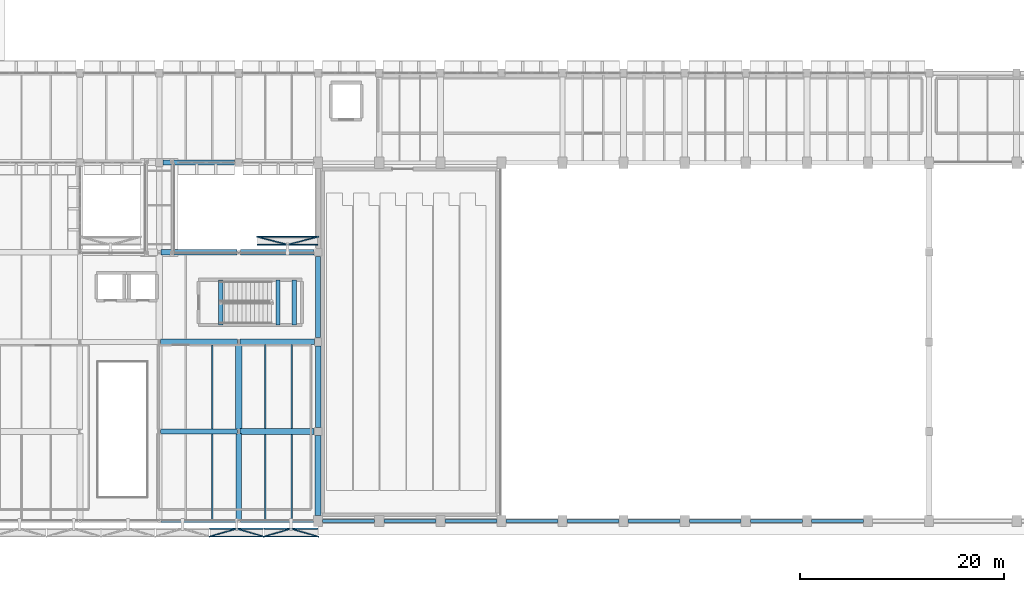
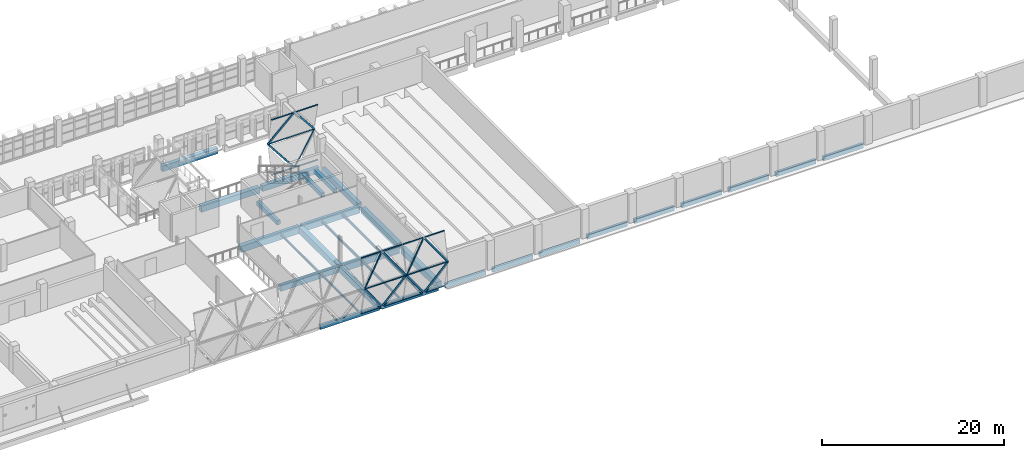
# One storey, part 29 of 80: 32 beams, 21 members, 3 elements without a shape of their own.
"""IFC4 building model written with IfcOpenShell, lengths in metres."""

from ifc_helpers import new_model, si_unit, direction, frame, origin, origin_2d, place, context, subcontext, project, spatial, rectangle, hollow_rectangle, i_section, extrude, material, material_profile, profile_set, type_object, element, aggregate, save


model = new_model("IFC4")

# Units and contexts
model_context = context("Model", 3, precision=1e-05, world=origin(), true_north=direction((0.0, 1.0)))
body_context = subcontext(model_context, "Body", "Model", "MODEL_VIEW")
ifc_project = project(units=[si_unit("LENGTHUNIT", "METRE"), si_unit("AREAUNIT", "SQUARE_METRE"), si_unit("VOLUMEUNIT", "CUBIC_METRE"), si_unit("PLANEANGLEUNIT", "RADIAN"), si_unit("MASSUNIT", "GRAM", prefix="KILO")], contexts=[model_context])

# Site, building, storey
site_placement = place(None, origin())
site = spatial("IfcSite", under=ifc_project, at=site_placement, CompositionType="ELEMENT")
building_placement = place(site_placement, origin())
building = spatial("IfcBuilding", under=site, at=building_placement, Name="Varnakota Cinema and Media Centre", CompositionType="ELEMENT")
storey_placement = place(building_placement, frame((0.0, 0.0, 4.5)))
storey = spatial("IfcBuildingStorey", under=building, at=storey_placement, Name="L01", CompositionType="ELEMENT", Elevation=4.5)

# Beams
ifc_material_1 = material(Name="Concrete M35", Category="concrete")
ifc_material_profile_1 = material_profile(ifc_material_1, rectangle(XDim=0.39990234375, YDim=0.550048828125, at=origin_2d()), Name="RCB 400x550")
ifc_profile_set_1 = profile_set([ifc_material_profile_1], Name="Concrete M35")
beam_type_1 = type_object("IfcBeamType", Name="BM-RC-400x550", PredefinedType="BEAM", material=ifc_profile_set_1)
for number, where, z_axis, x_axis, name in (
    (1, (71.064697265625, 19.25, 1.47509765625), (0.0, 1.0, 0.0), (-1.0, 0.0, 0.0), "L01 ST-04 landing support beam 1"),
    (2, (72.6552734375, 19.25, 1.47509765625), (0.0, 1.0, 0.0), (-1.0, 0.0, 0.0), "L01 ST-04 landing support beam 2"),
):
    element("IfcBeam", number, at=place(storey_placement, frame(where, z_axis=z_axis, x_axis=x_axis)), inside=storey, type_object=beam_type_1, Name=name, PredefinedType="BEAM", context=body_context, shape_type="SweptSolid", body=[
        extrude(rectangle(XDim=0.39990234375, YDim=0.550048828125, at=origin_2d()), origin(), (0.0, 0.0, 1.0), 4.449951171875),
    ])
ifc_material_2 = material(Name="Concrete M40", Category="concrete")
ifc_material_profile_2 = material_profile(ifc_material_2, rectangle(XDim=0.449951171875, YDim=0.550048828125, at=origin_2d()), Name="RCB 450x550")
ifc_profile_set_2 = profile_set([ifc_material_profile_2], Name="Concrete M40")
beam_type_2 = type_object("IfcBeamType", Name="BM-RC-450x550", PredefinedType="BEAM", material=ifc_profile_set_2)
beam_1_placement = place(storey_placement, frame((65.419921875, 19.25, -0.27490234375), z_axis=(0.0, 1.0, 0.0), x_axis=(-1.0, 0.0, 0.0)))
element("IfcBeam", 3, at=beam_1_placement, inside=storey, type_object=beam_type_2, Name="L01 ST-04 stair arrival trimmer beam", PredefinedType="BEAM", context=body_context, shape_type="SweptSolid", body=[
    extrude(rectangle(XDim=0.449951171875, YDim=0.550048828125, at=origin_2d()), origin(), (0.0, 0.0, 1.0), 4.449951171875),
])
ifc_material_3 = material(Name="Concrete M35", Category="concrete")
ifc_material_profile_3 = material_profile(ifc_material_3, rectangle(XDim=0.5, YDim=0.75, at=origin_2d()), Name="RCB 500x750")
ifc_profile_set_3 = profile_set([ifc_material_profile_3], Name="Concrete M35")
beam_type_3 = type_object("IfcBeamType", Name="BM-RC-500x750", PredefinedType="BEAM", material=ifc_profile_set_3)
beam_2_placement = place(storey_placement, frame((59.52490234375, 8.800048828125, -0.625), z_axis=(1.0, 0.0, 0.0), x_axis=(0.0, 1.0, 0.0)))
element("IfcBeam", 4, at=beam_2_placement, inside=storey, type_object=beam_type_3, Name="L01 girder H-J/2", PredefinedType="BEAM", context=body_context, shape_type="SweptSolid", body=[
    extrude(rectangle(XDim=0.5, YDim=0.75, at=origin_2d()), origin(), (0.0, 0.0, 1.0), 7.550048828125),
])
beam_3_placement = place(storey_placement, frame((67.362060546875, 26.39990234375, -0.625), z_axis=(1.0, 0.0, 0.0), x_axis=(0.0, 1.0, 0.0)))
element("IfcBeam", 5, at=beam_3_placement, inside=storey, type_object=beam_type_3, Name="L01 girder J-K/4", PredefinedType="BEAM", context=body_context, shape_type="SweptSolid", body=[
    extrude(rectangle(XDim=0.5, YDim=0.75, at=origin_2d()), origin(), (0.0, 0.0, 1.0), 7.238037109375),
])
beam_4_placement = place(storey_placement, frame((59.77490234375, 35.199951171875, -0.625), z_axis=(1.0, 0.0, 0.0), x_axis=(0.0, 1.0, 0.0)))
element("IfcBeam", 6, at=beam_4_placement, inside=storey, type_object=beam_type_3, Name="L01 girder H-J/5", PredefinedType="BEAM", context=body_context, shape_type="SweptSolid", body=[
    extrude(rectangle(XDim=0.5, YDim=0.75, at=origin_2d()), origin(), (0.0, 0.0, 1.0), 7.025146484375),
])
beam_5_placement = place(storey_placement, frame((67.199951171875, 0.162109375, -0.625), z_axis=(0.0, 1.0, 0.0), x_axis=(-1.0, 0.0, 0.0)))
element("IfcBeam", 7, at=beam_5_placement, inside=storey, type_object=beam_type_3, Name="L01 girder J/1-2", PredefinedType="BEAM", context=body_context, shape_type="SweptSolid", body=[
    extrude(rectangle(XDim=0.5, YDim=0.75, at=origin_2d()), origin(), (0.0, 0.0, 1.0), 8.43798828125),
])
beam_6_placement = place(storey_placement, frame((75.0, 18.02490234375, -0.625), z_axis=(0.0, 1.0, 0.0), x_axis=(-1.0, 0.0, 0.0)))
element("IfcBeam", 8, at=beam_6_placement, inside=storey, type_object=beam_type_3, Name="L01 girder K/3-4", PredefinedType="BEAM", context=body_context, shape_type="SweptSolid", body=[
    extrude(rectangle(XDim=0.5, YDim=0.75, at=origin_2d()), origin(), (0.0, 0.0, 1.0), 7.97509765625),
])
ifc_material_4 = material(Name="Concrete M35", Category="concrete")
ifc_material_profile_4 = material_profile(ifc_material_4, rectangle(XDim=0.550048828125, YDim=0.800048828125, at=origin_2d()), Name="RCB 550x800")
ifc_profile_set_4 = profile_set([ifc_material_profile_4], Name="Concrete M35")
beam_type_4 = type_object("IfcBeamType", Name="BM-RC-550x800", PredefinedType="BEAM", material=ifc_profile_set_4)
beam_7_placement = place(storey_placement, frame((67.324951171875, 17.60009765625, -0.64990234375), z_axis=(1.0, 0.0, 0.0), x_axis=(0.0, 1.0, 0.0)))
element("IfcBeam", 9, at=beam_7_placement, inside=storey, type_object=beam_type_4, Name="L01 girder J-K/3", PredefinedType="BEAM", context=body_context, shape_type="SweptSolid", body=[
    extrude(rectangle(XDim=0.550048828125, YDim=0.800048828125, at=origin_2d()), origin(), (0.0, 0.0, 1.0), 7.300048828125),
])
beam_8_placement = place(storey_placement, frame((59.56201171875, 26.39990234375, -0.64990234375), z_axis=(1.0, 0.0, 0.0), x_axis=(0.0, 1.0, 0.0)))
element("IfcBeam", 10, at=beam_8_placement, inside=storey, type_object=beam_type_4, Name="L01 girder H-J/4", PredefinedType="BEAM", context=body_context, shape_type="SweptSolid", body=[
    extrude(rectangle(XDim=0.550048828125, YDim=0.800048828125, at=origin_2d()), origin(), (0.0, 0.0, 1.0), 7.47607421875),
])
beam_9_placement = place(storey_placement, frame((75.0, 9.199951171875, -0.64990234375), z_axis=(0.0, 1.0, 0.0), x_axis=(-1.0, 0.0, 0.0)))
element("IfcBeam", 11, at=beam_9_placement, inside=storey, type_object=beam_type_4, Name="L01 girder K/2-3", PredefinedType="BEAM", context=body_context, shape_type="SweptSolid", body=[
    extrude(rectangle(XDim=0.550048828125, YDim=0.800048828125, at=origin_2d()), origin(), (0.0, 0.0, 1.0), 7.97509765625),
])
ifc_material_5 = material(Name="Concrete M35", Category="concrete")
ifc_material_profile_5 = material_profile(ifc_material_5, rectangle(XDim=0.60009765625, YDim=0.85009765625, at=origin_2d()), Name="RCB 600x850")
ifc_profile_set_5 = profile_set([ifc_material_profile_5], Name="Concrete M35")
beam_type_5 = type_object("IfcBeamType", Name="BM-RC-600x850", PredefinedType="BEAM", material=ifc_profile_set_5)
beam_10_placement = place(storey_placement, frame((67.324951171875, 8.800048828125, -0.675048828125), z_axis=(1.0, 0.0, 0.0), x_axis=(0.0, 1.0, 0.0)))
element("IfcBeam", 12, at=beam_10_placement, inside=storey, type_object=beam_type_5, Name="L01 girder J-K/2", PredefinedType="BEAM", context=body_context, shape_type="SweptSolid", body=[
    extrude(rectangle(XDim=0.60009765625, YDim=0.85009765625, at=origin_2d()), origin(), (0.0, 0.0, 1.0), 7.275146484375),
])
beam_11_placement = place(storey_placement, frame((59.52490234375, 17.60009765625, -0.675048828125), z_axis=(1.0, 0.0, 0.0), x_axis=(0.0, 1.0, 0.0)))
element("IfcBeam", 13, at=beam_11_placement, inside=storey, type_object=beam_type_5, Name="L01 girder H-J/3", PredefinedType="BEAM", context=body_context, shape_type="SweptSolid", body=[
    extrude(rectangle(XDim=0.60009765625, YDim=0.85009765625, at=origin_2d()), origin(), (0.0, 0.0, 1.0), 7.550048828125),
])
beam_12_placement = place(storey_placement, frame((67.199951171875, 9.0, -0.675048828125), z_axis=(0.0, 1.0, 0.0), x_axis=(-1.0, 0.0, 0.0)))
element("IfcBeam", 14, at=beam_12_placement, inside=storey, type_object=beam_type_5, Name="L01 girder J/2-3", PredefinedType="BEAM", context=body_context, shape_type="SweptSolid", body=[
    extrude(rectangle(XDim=0.60009765625, YDim=0.85009765625, at=origin_2d()), origin(), (0.0, 0.0, 1.0), 8.39990234375),
])
beam_13_placement = place(storey_placement, frame((75.0, 0.550048828125, -0.675048828125), z_axis=(0.0, 1.0, 0.0), x_axis=(-1.0, 0.0, 0.0)))
element("IfcBeam", 15, at=beam_13_placement, inside=storey, type_object=beam_type_5, Name="L01 girder K/1-2", PredefinedType="BEAM", context=body_context, shape_type="SweptSolid", body=[
    extrude(rectangle(XDim=0.60009765625, YDim=0.85009765625, at=origin_2d()), origin(), (0.0, 0.0, 1.0), 7.849853515625),
])
ifc_material_6 = material(Name="Concrete M35", Category="concrete")
ifc_material_profile_6 = material_profile(ifc_material_6, rectangle(XDim=0.300048828125, YDim=0.60009765625, at=origin_2d()), Name="RCB 300x600")
ifc_profile_set_6 = profile_set([ifc_material_profile_6], Name="Concrete M35")
beam_type_6 = type_object("IfcBeamType", Name="BM-SP-300x600", PredefinedType="SPANDREL", material=ifc_profile_set_6)
beam_14_placement = place(storey_placement, frame((59.56201171875, 0.0, -0.550048828125), z_axis=(1.0, 0.0, 0.0), x_axis=(0.0, 1.0, 0.0)))
element("IfcBeam", 16, at=beam_14_placement, inside=storey, type_object=beam_type_6, Name="L01 girder H-J/1", PredefinedType="SPANDREL", context=body_context, shape_type="SweptSolid", body=[
    extrude(rectangle(XDim=0.300048828125, YDim=0.60009765625, at=origin_2d()), origin(), (0.0, 0.0, 1.0), 7.47607421875),
])
beam_15_placement = place(storey_placement, frame((67.362060546875, 0.0, -0.550048828125), z_axis=(1.0, 0.0, 0.0), x_axis=(0.0, 1.0, 0.0)))
element("IfcBeam", 17, at=beam_15_placement, inside=storey, type_object=beam_type_6, Name="L01 girder J-K/1", PredefinedType="SPANDREL", context=body_context, shape_type="SweptSolid", body=[
    extrude(rectangle(XDim=0.300048828125, YDim=0.60009765625, at=origin_2d()), origin(), (0.0, 0.0, 1.0), 7.18798828125),
])
for number, where, z_axis, x_axis, name in (
    (18, (75.449951171875, 0.0, -0.550048828125), (1.0, 0.0, 0.0), (0.0, 1.0, 0.0), "L01 girder K-L/1"),
    (19, (81.449951171875, 0.0, -0.550048828125), (1.0, 0.0, 0.0), (0.0, 1.0, 0.0), "L01 girder L-M/1"),
    (20, (87.449951171875, 0.0, -0.550048828125), (1.0, 0.0, 0.0), (0.0, 1.0, 0.0), "L01 girder M-N/1"),
    (21, (93.449951171875, 0.0, -0.300048828125), (1.0, 0.0, 0.0), (0.0, 1.0, 0.0), "L01 girder N-P/1"),
    (22, (99.449951171875, 0.0, -0.300048828125), (1.0, 0.0, 0.0), (0.0, 1.0, 0.0), "L01 girder P-Q/1"),
    (23, (105.449951171875, 0.0, -0.300048828125), (1.0, 0.0, 0.0), (0.0, 1.0, 0.0), "L01 girder Q-R/1"),
    (24, (111.449951171875, 0.0, -0.300048828125), (1.0, 0.0, 0.0), (0.0, 1.0, 0.0), "L01 girder R-S/1"),
    (25, (117.449951171875, 0.0, -0.300048828125), (1.0, 0.0, 0.0), (0.0, 1.0, 0.0), "L01 girder S-T/1"),
    (26, (123.449951171875, 0.0, -0.300048828125), (1.0, 0.0, 0.0), (0.0, 1.0, 0.0), "L01 girder T-U/1"),
):
    element("IfcBeam", number, at=place(storey_placement, frame(where, z_axis=z_axis, x_axis=x_axis)), inside=storey, type_object=beam_type_6, Name=name, PredefinedType="SPANDREL", context=body_context, shape_type="SweptSolid", body=[
        extrude(rectangle(XDim=0.300048828125, YDim=0.60009765625, at=origin_2d()), origin(), (0.0, 0.0, 1.0), 5.10009765625),
    ])
ifc_material_7 = material(Name="Structural steel Grade 350 (E350)", Category="steel")
ifc_material_profile_7 = material_profile(ifc_material_7, i_section(OverallWidth=0.125, OverallDepth=0.25, WebThickness=0.0068359375, FlangeThickness=0.012451171875, FilletRadius=0.012939453125, at=origin_2d()), Name="ISMB 250")
ifc_profile_set_7 = profile_set([ifc_material_profile_7], Name="Structural steel Grade 350 (E350)")
beam_type_7 = type_object("IfcBeamType", Name="BM-ST-ISMB250", PredefinedType="JOIST", material=ifc_profile_set_7)
beam_16_placement = place(storey_placement, frame((64.60009765625, 0.14990234375, -0.375), z_axis=(0.0, 1.0, 0.0), x_axis=(-1.0, 0.0, 0.0)))
element("IfcBeam", 27, at=beam_16_placement, inside=storey, type_object=beam_type_7, Name="L01 steel joist H-J/1-2 #2", PredefinedType="JOIST", context=body_context, shape_type="SweptSolid", body=[
    extrude(i_section(OverallWidth=0.125, OverallDepth=0.25, WebThickness=0.0068359375, FlangeThickness=0.012451171875, FilletRadius=0.012939453125, at=origin_2d()), origin(), (0.0, 0.0, 1.0), 8.400146484375),
])
ifc_material_8 = material(Name="Structural steel Grade 350 (E350)", Category="steel")
ifc_material_profile_8 = material_profile(ifc_material_8, i_section(OverallWidth=0.139892578125, OverallDepth=0.300048828125, WebThickness=0.0078125, FlangeThickness=0.01318359375, FilletRadius=0.013916015625, at=origin_2d()), Name="ISMB 300")
ifc_profile_set_8 = profile_set([ifc_material_profile_8], Name="Structural steel Grade 350 (E350)")
beam_type_8 = type_object("IfcBeamType", Name="BM-ST-ISMB300", PredefinedType="JOIST", material=ifc_profile_set_8)
beam_17_placement = place(storey_placement, frame((64.60009765625, 9.050048828125, -0.39990234375), z_axis=(0.0, 1.0, 0.0), x_axis=(-1.0, 0.0, 0.0)))
element("IfcBeam", 28, at=beam_17_placement, inside=storey, type_object=beam_type_8, Name="L01 steel joist H-J/2-3 #2", PredefinedType="JOIST", context=body_context, shape_type="SweptSolid", body=[
    extrude(i_section(OverallWidth=0.139892578125, OverallDepth=0.300048828125, WebThickness=0.0078125, FlangeThickness=0.01318359375, FilletRadius=0.013916015625, at=origin_2d()), origin(), (0.0, 0.0, 1.0), 8.25),
])
for number, where, z_axis, x_axis, name in (
    (29, (69.800048828125, 0.14990234375, -0.39990234375), (0.0, 1.0, 0.0), (-1.0, 0.0, 0.0), "L01 steel joist J-K/1-2 #1"),
    (30, (72.39990234375, 0.14990234375, -0.39990234375), (0.0, 1.0, 0.0), (-1.0, 0.0, 0.0), "L01 steel joist J-K/1-2 #2"),
):
    element("IfcBeam", number, at=place(storey_placement, frame(where, z_axis=z_axis, x_axis=x_axis)), inside=storey, type_object=beam_type_8, Name=name, PredefinedType="JOIST", context=body_context, shape_type="SweptSolid", body=[
        extrude(i_section(OverallWidth=0.139892578125, OverallDepth=0.300048828125, WebThickness=0.0078125, FlangeThickness=0.01318359375, FilletRadius=0.013916015625, at=origin_2d()), origin(), (0.0, 0.0, 1.0), 8.35009765625),
    ])
ifc_material_9 = material(Name="Structural steel Grade 350 (E350)", Category="steel")
ifc_material_profile_9 = material_profile(ifc_material_9, i_section(OverallWidth=0.139892578125, OverallDepth=0.35009765625, WebThickness=0.008056640625, FlangeThickness=0.01416015625, FilletRadius=0.013916015625, at=origin_2d()), Name="ISMB 350")
ifc_profile_set_9 = profile_set([ifc_material_profile_9], Name="Structural steel Grade 350 (E350)")
beam_type_9 = type_object("IfcBeamType", Name="BM-ST-ISMB350", PredefinedType="JOIST", material=ifc_profile_set_9)
for number, where, z_axis, x_axis, name in (
    (31, (69.800048828125, 9.10009765625, -0.425048828125), (0.0, 1.0, 0.0), (-1.0, 0.0, 0.0), "L01 steel joist J-K/2-3 #1"),
    (32, (72.39990234375, 9.10009765625, -0.425048828125), (0.0, 1.0, 0.0), (-1.0, 0.0, 0.0), "L01 steel joist J-K/2-3 #2"),
):
    element("IfcBeam", number, at=place(storey_placement, frame(where, z_axis=z_axis, x_axis=x_axis)), inside=storey, type_object=beam_type_9, Name=name, PredefinedType="JOIST", context=body_context, shape_type="SweptSolid", body=[
        extrude(i_section(OverallWidth=0.139892578125, OverallDepth=0.35009765625, WebThickness=0.008056640625, FlangeThickness=0.01416015625, FilletRadius=0.013916015625, at=origin_2d()), origin(), (0.0, 0.0, 1.0), 8.224853515625),
    ])

# Curtain wall, members
ifc_material_10 = material(Name="Anodised golden-bronze aluminium AW-6063", Category="aluminium")
curtain_wall_type_1 = type_object("IfcCurtainWallType", Name="CW-DMD-533x750", PredefinedType="USERDEFINED", material=ifc_material_10)
curtain_wall_1_placement = place(storey_placement, origin())
curtain_wall_1 = element("IfcCurtainWall", 33, at=curtain_wall_1_placement, inside=storey, type_object=curtain_wall_type_1, Name="L01 folded diamond foyer curtain wall CW-V6DMD-S-T1-D01", ObjectType="DIAMOND FOLDED CURTAIN WALL", PredefinedType="USERDEFINED")
ifc_material_11 = material(Name="Anodised golden-bronze aluminium AW-6063", Category="aluminium")
ifc_material_profile_10 = material_profile(ifc_material_11, hollow_rectangle(XDim=0.074951171875, YDim=0.219970703125, WallThickness=0.0048828125, InnerFilletRadius=0.0048828125, OuterFilletRadius=0.010009765625, at=origin_2d()), Name="AL-MULLION 220x75x5")
ifc_profile_set_10 = profile_set([ifc_material_profile_10], Name="Anodised golden-bronze aluminium AW-6063")
member_type_1 = type_object("IfcMemberType", Name="CWM-GOLD-220", PredefinedType="MULLION", material=ifc_profile_set_10)
member_1_placement = place(storey_placement, frame((72.333251953125, -0.75, 0.050048828125), z_axis=(0.570871075166, -0.165812074532, 0.804122236652), x_axis=(0.27892703164, 0.960312298693, 0.0)))
member_1 = element("IfcMember", 34, at=member_1_placement, type_object=member_type_1, Name="CW-V6DMD-S-T1-D01 folded diamond mullion 1", PredefinedType="MULLION", context=body_context, shape_type="SweptSolid", body=[
    extrude(hollow_rectangle(XDim=0.074951171875, YDim=0.219970703125, WallThickness=0.0048828125, InnerFilletRadius=0.0048828125, OuterFilletRadius=0.010009765625, at=origin_2d()), origin(), (0.0, 0.0, 1.0), 4.601318359375),
])
member_2_placement = place(storey_placement, frame((72.333251953125, -0.75, 0.050048828125), z_axis=(-0.570835305557, -0.165817097031, 0.804146593764), x_axis=(0.278950941627, -0.960305353607, 0.0)))
member_2 = element("IfcMember", 35, at=member_2_placement, type_object=member_type_1, Name="CW-V6DMD-S-T1-D01 folded diamond mullion 2", PredefinedType="MULLION", context=body_context, shape_type="SweptSolid", body=[
    extrude(hollow_rectangle(XDim=0.074951171875, YDim=0.219970703125, WallThickness=0.0048828125, InnerFilletRadius=0.0048828125, OuterFilletRadius=0.010009765625, at=origin_2d()), origin(), (0.0, 0.0, 1.0), 4.60107421875),
])
member_3_placement = place(storey_placement, frame((74.9599609375, -1.512939453125, 3.75), z_axis=(-0.570871075166, 0.165812074532, 0.804122236652), x_axis=(-0.27892703164, -0.960312298693, 0.0)))
member_3 = element("IfcMember", 36, at=member_3_placement, type_object=member_type_1, Name="CW-V6DMD-S-T1-D01 folded diamond mullion 3", PredefinedType="MULLION", context=body_context, shape_type="SweptSolid", body=[
    extrude(hollow_rectangle(XDim=0.074951171875, YDim=0.219970703125, WallThickness=0.0048828125, InnerFilletRadius=0.0048828125, OuterFilletRadius=0.010009765625, at=origin_2d()), origin(), (0.0, 0.0, 1.0), 4.601318359375),
])
member_4_placement = place(storey_placement, frame((69.706787109375, -1.512939453125, 3.75), z_axis=(0.570835305557, 0.165817097031, 0.804146593764), x_axis=(-0.278950941627, 0.960305353607, 0.0)))
member_4 = element("IfcMember", 37, at=member_4_placement, type_object=member_type_1, Name="CW-V6DMD-S-T1-D01 folded diamond mullion 4", PredefinedType="MULLION", context=body_context, shape_type="SweptSolid", body=[
    extrude(hollow_rectangle(XDim=0.074951171875, YDim=0.219970703125, WallThickness=0.0048828125, InnerFilletRadius=0.0048828125, OuterFilletRadius=0.010009765625, at=origin_2d()), origin(), (0.0, 0.0, 1.0), 4.60107421875),
])

curtain_wall_2_placement = place(storey_placement, origin())
curtain_wall_2 = element("IfcCurtainWall", 38, at=curtain_wall_2_placement, inside=storey, type_object=curtain_wall_type_1, Name="L01 folded diamond foyer curtain wall CW-V6DMD-S-T1-D02", ObjectType="DIAMOND FOLDED CURTAIN WALL", PredefinedType="USERDEFINED")
member_5_placement = place(storey_placement, frame((67.0, -0.75, 0.050048828125), z_axis=(0.570871075166, -0.165812074532, 0.804122236652), x_axis=(0.27892703164, 0.960312298693, 0.0)))
member_5 = element("IfcMember", 39, at=member_5_placement, type_object=member_type_1, Name="CW-V6DMD-S-T1-D02 folded diamond mullion 1", PredefinedType="MULLION", context=body_context, shape_type="SweptSolid", body=[
    extrude(hollow_rectangle(XDim=0.074951171875, YDim=0.219970703125, WallThickness=0.0048828125, InnerFilletRadius=0.0048828125, OuterFilletRadius=0.010009765625, at=origin_2d()), origin(), (0.0, 0.0, 1.0), 4.601318359375),
])
member_6_placement = place(storey_placement, frame((67.0, -0.75, 0.050048828125), z_axis=(-0.570871075166, -0.165812074532, 0.804122236652), x_axis=(0.27892703164, -0.960312298693, 0.0)))
member_6 = element("IfcMember", 40, at=member_6_placement, type_object=member_type_1, Name="CW-V6DMD-S-T1-D02 folded diamond mullion 2", PredefinedType="MULLION", context=body_context, shape_type="SweptSolid", body=[
    extrude(hollow_rectangle(XDim=0.074951171875, YDim=0.219970703125, WallThickness=0.0048828125, InnerFilletRadius=0.0048828125, OuterFilletRadius=0.010009765625, at=origin_2d()), origin(), (0.0, 0.0, 1.0), 4.601318359375),
])
member_7_placement = place(storey_placement, frame((69.626708984375, -1.512939453125, 3.75), z_axis=(-0.570871075166, 0.165812074532, 0.804122236652), x_axis=(-0.27892703164, -0.960312298693, 0.0)))
member_7 = element("IfcMember", 41, at=member_7_placement, type_object=member_type_1, Name="CW-V6DMD-S-T1-D02 folded diamond mullion 3", PredefinedType="MULLION", context=body_context, shape_type="SweptSolid", body=[
    extrude(hollow_rectangle(XDim=0.074951171875, YDim=0.219970703125, WallThickness=0.0048828125, InnerFilletRadius=0.0048828125, OuterFilletRadius=0.010009765625, at=origin_2d()), origin(), (0.0, 0.0, 1.0), 4.601318359375),
])
member_8_placement = place(storey_placement, frame((64.373291015625, -1.512939453125, 3.75), z_axis=(0.570871075166, 0.165812074532, 0.804122236652), x_axis=(-0.27892703164, 0.960312298693, 0.0)))
member_8 = element("IfcMember", 42, at=member_8_placement, type_object=member_type_1, Name="CW-V6DMD-S-T1-D02 folded diamond mullion 4", PredefinedType="MULLION", context=body_context, shape_type="SweptSolid", body=[
    extrude(hollow_rectangle(XDim=0.074951171875, YDim=0.219970703125, WallThickness=0.0048828125, InnerFilletRadius=0.0048828125, OuterFilletRadius=0.010009765625, at=origin_2d()), origin(), (0.0, 0.0, 1.0), 4.601318359375),
])

ifc_material_12 = material(Name="Anodised golden-bronze aluminium AW-6063", Category="aluminium")
curtain_wall_type_2 = type_object("IfcCurtainWallType", Name="CW-DMD-600x750", PredefinedType="USERDEFINED", material=ifc_material_12)
curtain_wall_3_placement = place(storey_placement, origin())
curtain_wall_3 = element("IfcCurtainWall", 43, at=curtain_wall_3_placement, inside=storey, type_object=curtain_wall_type_2, Name="L01 folded diamond foyer curtain wall CW-V6DMD-N-T1E-D01", ObjectType="DIAMOND FOLDED CURTAIN WALL", PredefinedType="USERDEFINED")
member_9_placement = place(storey_placement, frame((72.0, 27.14990234375, 0.050048828125), z_axis=(-0.616751101329, 0.158969580308, 0.770938876661), x_axis=(-0.249595383611, -0.968350217886, 0.0)))
member_9 = element("IfcMember", 44, at=member_9_placement, type_object=member_type_1, Name="CW-V6DMD-N-T1E-D01 folded diamond mullion 1", PredefinedType="MULLION", context=body_context, shape_type="SweptSolid", body=[
    extrude(hollow_rectangle(XDim=0.074951171875, YDim=0.219970703125, WallThickness=0.0048828125, InnerFilletRadius=0.0048828125, OuterFilletRadius=0.010009765625, at=origin_2d()), origin(), (0.0, 0.0, 1.0), 4.79931640625),
])
member_10_placement = place(storey_placement, frame((72.0, 27.14990234375, 0.050048828125), z_axis=(0.616751101329, 0.158969580308, 0.770938876661), x_axis=(-0.249595383611, 0.968350217886, 0.0)))
member_10 = element("IfcMember", 45, at=member_10_placement, type_object=member_type_1, Name="CW-V6DMD-N-T1E-D01 folded diamond mullion 2", PredefinedType="MULLION", context=body_context, shape_type="SweptSolid", body=[
    extrude(hollow_rectangle(XDim=0.074951171875, YDim=0.219970703125, WallThickness=0.0048828125, InnerFilletRadius=0.0048828125, OuterFilletRadius=0.010009765625, at=origin_2d()), origin(), (0.0, 0.0, 1.0), 4.79931640625),
])
member_11_placement = place(storey_placement, frame((69.0400390625, 27.912841796875, 3.75), z_axis=(0.616751101329, -0.158969580308, 0.770938876661), x_axis=(0.249595383611, 0.968350217886, 0.0)))
member_11 = element("IfcMember", 46, at=member_11_placement, type_object=member_type_1, Name="CW-V6DMD-N-T1E-D01 folded diamond mullion 3", PredefinedType="MULLION", context=body_context, shape_type="SweptSolid", body=[
    extrude(hollow_rectangle(XDim=0.074951171875, YDim=0.219970703125, WallThickness=0.0048828125, InnerFilletRadius=0.0048828125, OuterFilletRadius=0.010009765625, at=origin_2d()), origin(), (0.0, 0.0, 1.0), 4.79931640625),
])
member_12_placement = place(storey_placement, frame((74.9599609375, 27.912841796875, 3.75), z_axis=(-0.616751101329, -0.158969580308, 0.770938876661), x_axis=(0.249595383611, -0.968350217886, 0.0)))
member_12 = element("IfcMember", 47, at=member_12_placement, type_object=member_type_1, Name="CW-V6DMD-N-T1E-D01 folded diamond mullion 4", PredefinedType="MULLION", context=body_context, shape_type="SweptSolid", body=[
    extrude(hollow_rectangle(XDim=0.074951171875, YDim=0.219970703125, WallThickness=0.0048828125, InnerFilletRadius=0.0048828125, OuterFilletRadius=0.010009765625, at=origin_2d()), origin(), (0.0, 0.0, 1.0), 4.79931640625),
])

# Member
ifc_material_13 = material(Name="Anodised golden-bronze aluminium AW-6063", Category="aluminium")
ifc_material_profile_11 = material_profile(ifc_material_13, hollow_rectangle(XDim=0.074951171875, YDim=0.159912109375, WallThickness=0.00390625, InnerFilletRadius=0.00390625, OuterFilletRadius=0.008056640625, at=origin_2d()), Name="AL-TRANSOM 160x75x4")
ifc_profile_set_11 = profile_set([ifc_material_profile_11], Name="Anodised golden-bronze aluminium AW-6063")
member_type_2 = type_object("IfcMemberType", Name="CWT-GOLD-160", PredefinedType="USERDEFINED", material=ifc_profile_set_11)
member_13_placement = place(storey_placement, frame((74.9599609375, -0.75, 0.050048828125), z_axis=(-1.0, 0.0, 0.0), x_axis=(0.0, -1.0, 0.0)))
member_13 = element("IfcMember", 48, at=member_13_placement, type_object=member_type_2, Name="CW-V6DMD-S-T1-D01 folded diamond transom 1", ObjectType="TRANSOM", PredefinedType="USERDEFINED", context=body_context, shape_type="SweptSolid", body=[
    extrude(hollow_rectangle(XDim=0.074951171875, YDim=0.159912109375, WallThickness=0.00390625, InnerFilletRadius=0.00390625, OuterFilletRadius=0.008056640625, at=origin_2d()), origin(), (0.0, 0.0, 1.0), 5.253173828125),
])

member_14_placement = place(storey_placement, frame((74.860107421875, -1.512939453125, 3.75), z_axis=(-1.0, 0.0, 0.0), x_axis=(0.0, -1.0, 0.0)))
member_14 = element("IfcMember", 49, at=member_14_placement, type_object=member_type_2, Name="CW-V6DMD-S-T1-D01 folded diamond transom 2", ObjectType="TRANSOM", PredefinedType="USERDEFINED", context=body_context, shape_type="SweptSolid", body=[
    extrude(hollow_rectangle(XDim=0.074951171875, YDim=0.159912109375, WallThickness=0.00390625, InnerFilletRadius=0.00390625, OuterFilletRadius=0.008056640625, at=origin_2d()), origin(), (0.0, 0.0, 1.0), 5.053466796875),
])

member_15_placement = place(storey_placement, frame((74.9599609375, -0.75, 7.449951171875), z_axis=(-1.0, 0.0, 0.0), x_axis=(0.0, -1.0, 0.0)))
member_15 = element("IfcMember", 50, at=member_15_placement, type_object=member_type_2, Name="CW-V6DMD-S-T1-D01 folded diamond transom 3", ObjectType="TRANSOM", PredefinedType="USERDEFINED", context=body_context, shape_type="SweptSolid", body=[
    extrude(hollow_rectangle(XDim=0.074951171875, YDim=0.159912109375, WallThickness=0.00390625, InnerFilletRadius=0.00390625, OuterFilletRadius=0.008056640625, at=origin_2d()), origin(), (0.0, 0.0, 1.0), 5.253173828125),
])

aggregate(curtain_wall_1, [member_1, member_2, member_3, member_4, member_13, member_14, member_15])

member_16_placement = place(storey_placement, frame((69.626708984375, -0.75, 0.050048828125), z_axis=(-1.0, 0.0, 0.0), x_axis=(0.0, -1.0, 0.0)))
member_16 = element("IfcMember", 51, at=member_16_placement, type_object=member_type_2, Name="CW-V6DMD-S-T1-D02 folded diamond transom 1", ObjectType="TRANSOM", PredefinedType="USERDEFINED", context=body_context, shape_type="SweptSolid", body=[
    extrude(hollow_rectangle(XDim=0.074951171875, YDim=0.159912109375, WallThickness=0.00390625, InnerFilletRadius=0.00390625, OuterFilletRadius=0.008056640625, at=origin_2d()), origin(), (0.0, 0.0, 1.0), 5.25341796875),
])

member_17_placement = place(storey_placement, frame((69.526611328125, -1.512939453125, 3.75), z_axis=(-1.0, 0.0, 0.0), x_axis=(0.0, -1.0, 0.0)))
member_17 = element("IfcMember", 52, at=member_17_placement, type_object=member_type_2, Name="CW-V6DMD-S-T1-D02 folded diamond transom 2", ObjectType="TRANSOM", PredefinedType="USERDEFINED", context=body_context, shape_type="SweptSolid", body=[
    extrude(hollow_rectangle(XDim=0.074951171875, YDim=0.159912109375, WallThickness=0.00390625, InnerFilletRadius=0.00390625, OuterFilletRadius=0.008056640625, at=origin_2d()), origin(), (0.0, 0.0, 1.0), 5.05322265625),
])

member_18_placement = place(storey_placement, frame((69.626708984375, -0.75, 7.449951171875), z_axis=(-1.0, 0.0, 0.0), x_axis=(0.0, -1.0, 0.0)))
member_18 = element("IfcMember", 53, at=member_18_placement, type_object=member_type_2, Name="CW-V6DMD-S-T1-D02 folded diamond transom 3", ObjectType="TRANSOM", PredefinedType="USERDEFINED", context=body_context, shape_type="SweptSolid", body=[
    extrude(hollow_rectangle(XDim=0.074951171875, YDim=0.159912109375, WallThickness=0.00390625, InnerFilletRadius=0.00390625, OuterFilletRadius=0.008056640625, at=origin_2d()), origin(), (0.0, 0.0, 1.0), 5.25341796875),
])

aggregate(curtain_wall_2, [member_5, member_6, member_7, member_8, member_16, member_17, member_18])

member_19_placement = place(storey_placement, frame((69.0400390625, 27.14990234375, 0.050048828125), z_axis=(1.0, 0.0, 0.0), x_axis=(0.0, 1.0, 0.0)))
member_19 = element("IfcMember", 54, at=member_19_placement, type_object=member_type_2, Name="CW-V6DMD-N-T1E-D01 folded diamond transom 1", ObjectType="TRANSOM", PredefinedType="USERDEFINED", context=body_context, shape_type="SweptSolid", body=[
    extrude(hollow_rectangle(XDim=0.074951171875, YDim=0.159912109375, WallThickness=0.00390625, InnerFilletRadius=0.00390625, OuterFilletRadius=0.008056640625, at=origin_2d()), origin(), (0.0, 0.0, 1.0), 5.919921875),
])

member_20_placement = place(storey_placement, frame((69.139892578125, 27.912841796875, 3.75), z_axis=(1.0, 0.0, 0.0), x_axis=(0.0, 1.0, 0.0)))
member_20 = element("IfcMember", 55, at=member_20_placement, type_object=member_type_2, Name="CW-V6DMD-N-T1E-D01 folded diamond transom 2", ObjectType="TRANSOM", PredefinedType="USERDEFINED", context=body_context, shape_type="SweptSolid", body=[
    extrude(hollow_rectangle(XDim=0.074951171875, YDim=0.159912109375, WallThickness=0.00390625, InnerFilletRadius=0.00390625, OuterFilletRadius=0.008056640625, at=origin_2d()), origin(), (0.0, 0.0, 1.0), 5.72021484375),
])

member_21_placement = place(storey_placement, frame((69.0400390625, 27.14990234375, 7.449951171875), z_axis=(1.0, 0.0, 0.0), x_axis=(0.0, 1.0, 0.0)))
member_21 = element("IfcMember", 56, at=member_21_placement, type_object=member_type_2, Name="CW-V6DMD-N-T1E-D01 folded diamond transom 3", ObjectType="TRANSOM", PredefinedType="USERDEFINED", context=body_context, shape_type="SweptSolid", body=[
    extrude(hollow_rectangle(XDim=0.074951171875, YDim=0.159912109375, WallThickness=0.00390625, InnerFilletRadius=0.00390625, OuterFilletRadius=0.008056640625, at=origin_2d()), origin(), (0.0, 0.0, 1.0), 5.919921875),
])

aggregate(curtain_wall_3, [member_9, member_10, member_11, member_12, member_19, member_20, member_21])

save(model, "model.ifc")
